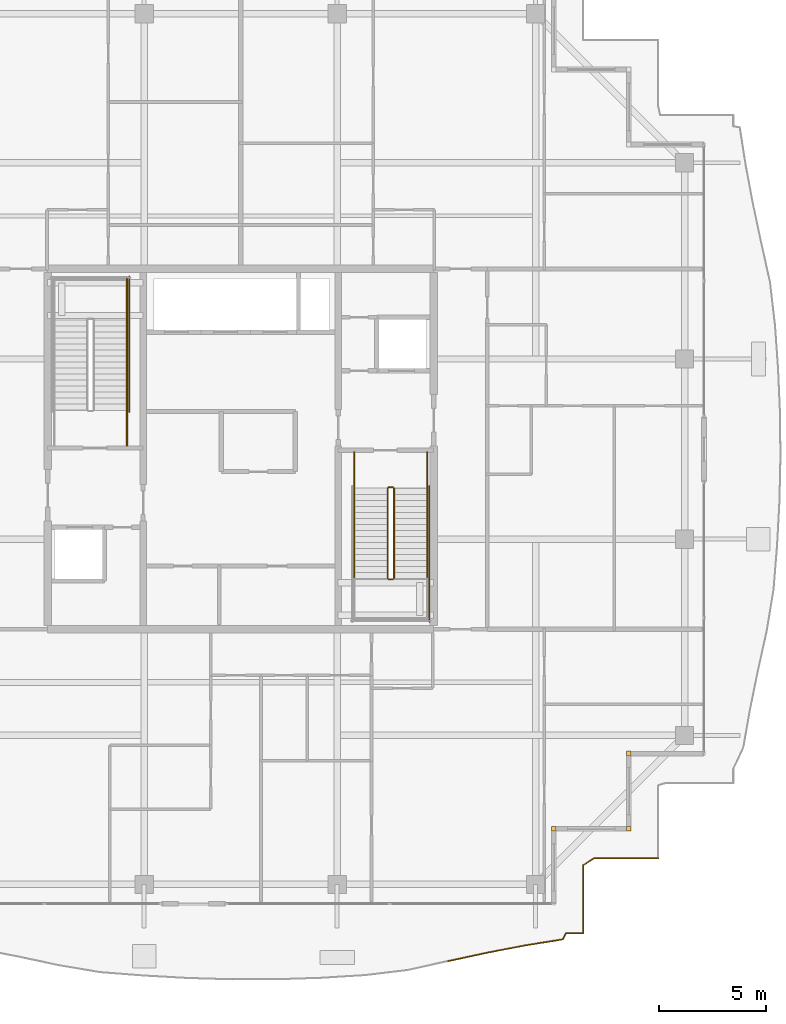
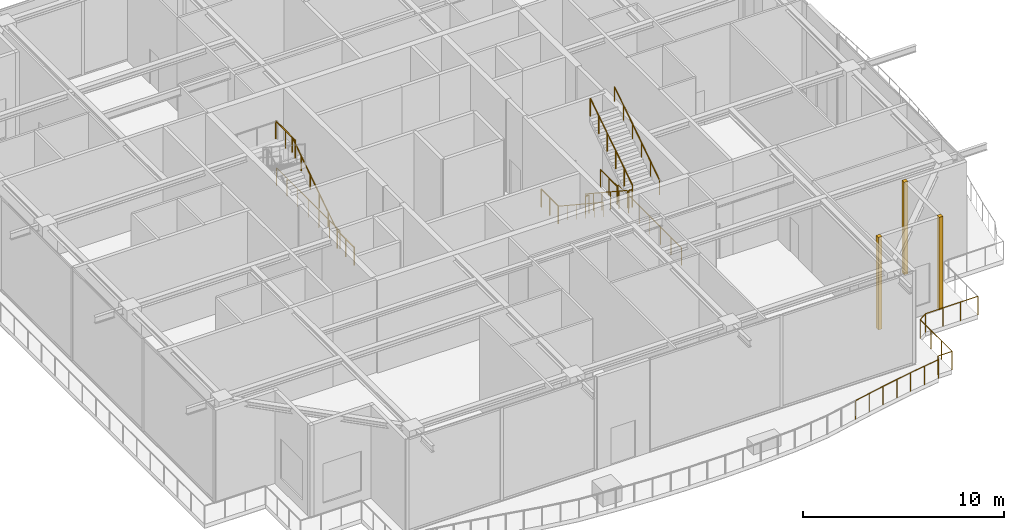
# One storey, part 37 of 38: 14 railings, 3 coverings.
"""IFC4 building model written with IfcOpenShell, lengths in metres."""

import ifcopenshell
import ifcopenshell.guid

model = None  # the IFC model being written
_history = None  # IfcOwnerHistory: only IFC2X3 demands one
_inside = {}  # id of a spatial element -> (the spatial element, [elements in it])
_under = {}  # id of a project, library or spatial element -> (it, [spatial elements below it])
_declared = {}  # id of a project -> (the project, [libraries it declares])
_typed = {}  # id of a type object -> (the type object, [elements of that type])
_made_of = {}  # id of a material, layer set ... -> (it, [elements and type objects made of it])


def new_model(schema):
    """Start an empty IFC model of exactly this schema.

    Asked for "IFC4X3", IfcOpenShell would pick the latest addendum, in which some entities
    have other attributes; the version numbers below select the first issue.
    IFC2X3 requires an IfcOwnerHistory on every rooted entity: one is made here for all.
    """
    global model, _history
    if schema == "IFC4X3":
        model = ifcopenshell.file(schema_version=(4, 3, 0, 0))
    else:
        model = ifcopenshell.file(schema=schema)
    _inside.clear()
    _under.clear()
    _declared.clear()
    _typed.clear()
    _made_of.clear()
    _history = None
    if model.schema == "IFC2X3":
        org = make("IfcOrganization", Name="unknown")
        user = make(
            "IfcPersonAndOrganization",
            ThePerson=make("IfcPerson", FamilyName="unknown"),
            TheOrganization=org,
        )
        app = make(
            "IfcApplication",
            ApplicationDeveloper=org,
            Version="unknown",
            ApplicationFullName="unknown",
            ApplicationIdentifier="unknown",
        )
        _history = make(
            "IfcOwnerHistory",
            OwningUser=user,
            OwningApplication=app,
            ChangeAction="ADDED",
            CreationDate=0,
        )
    return model


def make(cls, **values):
    """One entity of the class cls with the attributes given. An attribute that is None is left unset."""
    return model.create_entity(
        cls, **{name: value for name, value in values.items() if value is not None}
    )


def rooted(cls, **values):
    """An entity with a GlobalId (a new one), such as an element, a storey or a relation."""
    return make(cls, GlobalId=ifcopenshell.guid.new(), OwnerHistory=_history, **values)


def si_unit(unit_type, name, prefix=None):
    """IfcSIUnit, for example si_unit("LENGTHUNIT", "METRE", prefix="MILLI")."""
    return make("IfcSIUnit", UnitType=unit_type, Prefix=prefix, Name=name)


def assignment(units):
    """IfcUnitAssignment: the units of a project."""
    return None if units is None else make("IfcUnitAssignment", Units=units)


def point(xyz):
    """IfcCartesianPoint."""
    return None if xyz is None else make("IfcCartesianPoint", Coordinates=xyz)


def direction(xyz):
    """IfcDirection."""
    return None if xyz is None else make("IfcDirection", DirectionRatios=xyz)


def frame(location, z_axis=None, x_axis=None):
    """IfcAxis2Placement3D, a coordinate frame: its origin and axes. An axis left out is left unset."""
    return make(
        "IfcAxis2Placement3D",
        Location=point(location),
        Axis=direction(z_axis),
        RefDirection=direction(x_axis),
    )


def frame_2d(location, x_axis=None):
    """IfcAxis2Placement2D, a coordinate frame in the plane: its origin and x axis."""
    return make(
        "IfcAxis2Placement2D", Location=point(location), RefDirection=direction(x_axis)
    )


def origin():
    """The frame at (0, 0, 0) with its axes left unset."""
    return frame((0.0, 0.0, 0.0))


def origin_2d():
    """The frame at (0, 0) in the plane with its x axis left unset."""
    return frame_2d((0.0, 0.0))


def place(relative_to, where):
    """IfcLocalPlacement: puts the frame where relative to a parent placement (None: the world)."""
    return make(
        "IfcLocalPlacement", PlacementRelTo=relative_to, RelativePlacement=where
    )


def context(
    kind, dimensions, precision=None, world=None, true_north=None, identifier=None
):
    """IfcGeometricRepresentationContext, for example the 3D "Model" context."""
    return make(
        "IfcGeometricRepresentationContext",
        ContextIdentifier=identifier,
        ContextType=kind,
        CoordinateSpaceDimension=dimensions,
        Precision=precision,
        WorldCoordinateSystem=world,
        TrueNorth=true_north,
    )


def subcontext(parent, identifier, kind, view, scale=None):
    """IfcGeometricRepresentationSubContext, for example "Body" below "Model"."""
    return make(
        "IfcGeometricRepresentationSubContext",
        ContextIdentifier=identifier,
        ContextType=kind,
        ParentContext=parent,
        TargetScale=scale,
        TargetView=view,
    )


def project(units=None, contexts=None):
    """IfcProject with its units and contexts."""
    return rooted(
        "IfcProject",
        Name="project",
        RepresentationContexts=contexts,
        UnitsInContext=assignment(units),
    )


def spatial(cls, under=None, at=None, **own):
    """A site, building, storey or space (cls), placed at a placement, below another one or the project."""
    s = rooted(cls, ObjectPlacement=at, **own)
    if under is not None:
        _under.setdefault(under.id(), (under, []))[1].append(s)
    return s


def profile(cls, at=None, kind="AREA", **sizes):
    """A parametric profile (cls). Its sizes go by their IFC names, for example OverallWidth=200.0."""
    return make(cls, ProfileType=kind, Position=at, **sizes)


def rectangle(**sizes):
    """IfcRectangleProfileDef."""
    return profile("IfcRectangleProfileDef", **sizes)


def circle(**sizes):
    """IfcCircleProfileDef."""
    return profile("IfcCircleProfileDef", **sizes)


def extrude(swept, where, along, depth):
    """IfcExtrudedAreaSolid: the profile swept, set in the frame where, extruded along a direction by depth."""
    return make(
        "IfcExtrudedAreaSolid",
        SweptArea=swept,
        Position=where,
        ExtrudedDirection=direction(along),
        Depth=depth,
    )


def shape(context_of_items, identifier, shape_type, items):
    """IfcShapeRepresentation: the items that make up one representation, for example the "Body"."""
    return make(
        "IfcShapeRepresentation",
        ContextOfItems=context_of_items,
        RepresentationIdentifier=identifier,
        RepresentationType=shape_type,
        Items=items,
    )


def source(mapping_origin, context_of_items, identifier, shape_type, items):
    """IfcRepresentationMap: a shape defined once, which mapped items show again and again."""
    return make(
        "IfcRepresentationMap",
        MappingOrigin=mapping_origin,
        MappedRepresentation=shape(context_of_items, identifier, shape_type, items),
    )


def transform(
    local_origin,
    x_axis=None,
    y_axis=None,
    z_axis=None,
    scale=None,
    scale2=None,
    scale3=None,
    uniform=True,
):
    """IfcCartesianTransformationOperator3D, or its non-uniform kind. x_axis, y_axis, z_axis: its Axis1, 2, 3."""
    if uniform:
        return make(
            "IfcCartesianTransformationOperator3D",
            Axis1=direction(x_axis),
            Axis2=direction(y_axis),
            LocalOrigin=point(local_origin),
            Scale=scale,
            Axis3=direction(z_axis),
        )
    return make(
        "IfcCartesianTransformationOperator3DnonUniform",
        Axis1=direction(x_axis),
        Axis2=direction(y_axis),
        LocalOrigin=point(local_origin),
        Scale=scale,
        Axis3=direction(z_axis),
        Scale2=scale2,
        Scale3=scale3,
    )


def mapped(mapping_source, mapping_target):
    """IfcMappedItem: shows the shape of a source again, moved by a transform."""
    return make(
        "IfcMappedItem", MappingSource=mapping_source, MappingTarget=mapping_target
    )


def material(Name=None, Category=None):
    """IfcMaterial."""
    return make("IfcMaterial", Name=Name, Category=Category)


def layer(
    of_material, thickness, ventilated=None, Name=None, Category=None, Priority=None
):
    """IfcMaterialLayer: one layer of a wall or slab, of a material (None: an air gap)."""
    return make(
        "IfcMaterialLayer",
        Material=of_material,
        LayerThickness=thickness,
        IsVentilated=ventilated,
        Name=Name,
        Category=Category,
        Priority=Priority,
    )


def layer_set(layers, Name=None):
    """IfcMaterialLayerSet."""
    return make("IfcMaterialLayerSet", MaterialLayers=layers, LayerSetName=Name)


def made_of(thing, what):
    """Note that an element or type object is made of a material, layer set ...; save() writes the relation."""
    if what is not None:
        _made_of.setdefault(what.id(), (what, []))[1].append(thing)
    return thing


def type_object(cls, material=None, **own):
    """A type object (cls), such as IfcWallType, which elements share."""
    return made_of(rooted(cls, **own), material)


def element(
    cls,
    number,
    at=None,
    inside=None,
    cuts=None,
    type_object=None,
    material=None,
    context=None,
    identifier="Body",
    shape_type=None,
    held_by="IfcProductDefinitionShape",
    body=None,
    shapes=None,
    **own,
):
    """One element of the class cls, such as IfcWall. Its Tag is "e" and its number.

    at: its placement. inside: the storey or other place that contains it. cuts: it is an
    opening in that element (IfcRelVoidsElement). A single representation is given by context,
    identifier, shape_type and body (its items); several are given by shapes. held_by: the class
    of the entity that holds the representations. save() writes the other relations.
    """
    e = rooted(cls, Tag="e%d" % number, ObjectPlacement=at, **own)
    if body is not None:
        shapes = [shape(context, identifier, shape_type, body)]
    if shapes is not None:
        e.Representation = make(held_by, Representations=shapes)
    if inside is not None:
        _inside.setdefault(inside.id(), (inside, []))[1].append(e)
    if cuts is not None:
        rooted(
            "IfcRelVoidsElement", RelatingBuildingElement=cuts, RelatedOpeningElement=e
        )
    if type_object is not None:
        _typed.setdefault(type_object.id(), (type_object, []))[1].append(e)
    return made_of(e, material)


def aggregate(whole, parts):
    """IfcRelAggregates: a whole, such as a stair, and the parts it consists of."""
    return rooted("IfcRelAggregates", RelatingObject=whole, RelatedObjects=parts)


def save(model, path):
    """Write the relations noted so far, then the file.

    IfcRelAggregates (storeys below a building ...), IfcRelContainedInSpatialStructure (elements
    in a storey), IfcRelDefinesByType, IfcRelAssociatesMaterial and IfcRelDeclares: one each for
    every whole, place, type object, material and project.
    """
    for whole, parts in _under.values():
        aggregate(whole, parts)
    for where, things in _inside.values():
        rooted(
            "IfcRelContainedInSpatialStructure",
            RelatedElements=things,
            RelatingStructure=where,
        )
    for kind, things in _typed.values():
        rooted("IfcRelDefinesByType", RelatedObjects=things, RelatingType=kind)
    for what, things in _made_of.values():
        rooted("IfcRelAssociatesMaterial", RelatedObjects=things, RelatingMaterial=what)
    for by, libraries in _declared.values():
        rooted("IfcRelDeclares", RelatingContext=by, RelatedDefinitions=libraries)
    model.write(path)


model = new_model("IFC4")

# Units and contexts
model_context = context("Model", 3, precision=1e-05, world=origin(), true_north=direction((0.0, 1.0)))
body_context = subcontext(model_context, "Body", "Model", "MODEL_VIEW")
ifc_project = project(units=[si_unit("LENGTHUNIT", "METRE"), si_unit("AREAUNIT", "SQUARE_METRE"), si_unit("VOLUMEUNIT", "CUBIC_METRE"), si_unit("PLANEANGLEUNIT", "RADIAN"), si_unit("MASSUNIT", "GRAM", prefix="KILO")], contexts=[model_context])

# Site, building, storey
site_placement = place(None, origin())
site = spatial("IfcSite", under=ifc_project, at=site_placement, CompositionType="ELEMENT")
building_placement = place(site_placement, origin())
building = spatial("IfcBuilding", under=site, at=building_placement, Name="Serunith Strait Residences", CompositionType="ELEMENT")
storey_placement = place(building_placement, frame((0.0, 0.0, 342.050048828125)))
storey = spatial("IfcBuildingStorey", under=building, at=storey_placement, Name="L85", CompositionType="ELEMENT", Elevation=342.050048828125)

# Railings
ifc_material_1 = material(Name="Stainless Steel & Laminated Glass Balustrade", Category="steel")
railing_type_1 = type_object("IfcRailingType", Name="RLG-BALC-1150", PredefinedType="BALUSTRADE", material=ifc_material_1)
railing_1_placement = place(storey_placement, frame((51.8798828125, 6.1201171875, -0.050048828125)))
element("IfcRailing", 1, at=railing_1_placement, inside=storey, type_object=railing_type_1, Name="L85 Swirling Balcony Perimeter Balustrade 6", PredefinedType="BALUSTRADE", context=body_context, shape_type="SweptSolid", body=[
    extrude(circle(Radius=0.02392578125, at=origin_2d()), frame((-0.001953125, 0.0, 1.1259765625), z_axis=(-1.0, 0.0, 0.0), x_axis=(0.0, -1.0, 0.0)), (0.0, 0.0, 1.0), 3.005859375),
    extrude(circle(Radius=0.02392578125, at=origin_2d()), frame((-3.011474609375, -0.0009765625, 1.1259765625), z_axis=(-0.836764004252, -0.54756369601, 0.0), x_axis=(0.54756369601, -0.836764004252, 0.0)), (0.0, 0.0, 1.0), 0.581787109375),
    extrude(circle(Radius=0.02392578125, at=origin_2d()), frame((-3.5, -0.32275390625, 1.1259765625), z_axis=(0.0, -1.0, 0.0), x_axis=(1.0, 0.0, 0.0)), (0.0, 0.0, 1.0), 3.17529296875),
    extrude(circle(Radius=0.02392578125, at=origin_2d()), frame((-3.501953125, -3.5, 1.1259765625), z_axis=(-1.0, 0.0, 0.0), x_axis=(0.0, -1.0, 0.0)), (0.0, 0.0, 1.0), 0.810302734375),
    extrude(circle(Radius=0.02392578125, at=origin_2d()), frame((-4.315185546875, -3.501708984375, 1.1259765625), z_axis=(-0.442872525968, -0.896584589285, 0.0), x_axis=(0.896584589285, -0.442872525968, 0.0)), (0.0, 0.0, 1.0), 0.311279296875),
    extrude(circle(Radius=0.02392578125, at=origin_2d()), frame((-4.455810546875, -3.782958984375, 1.1259765625), z_axis=(-0.987452584094, -0.15791578188, 0.0), x_axis=(0.15791578188, -0.987452584094, 0.0)), (0.0, 0.0, 1.0), 1.780029296875),
    extrude(circle(Radius=0.02392578125, at=origin_2d()), frame((-6.217529296875, -4.06494140625, 1.1259765625), z_axis=(-0.982054458194, -0.188597563988, 0.0), x_axis=(0.188597563988, -0.982054458194, 0.0)), (0.0, 0.0, 1.0), 1.808349609375),
    extrude(circle(Radius=0.02392578125, at=origin_2d()), frame((-7.997314453125, -4.40673828125, 1.1259765625), z_axis=(-0.977377481378, -0.211502385083, 0.0), x_axis=(0.211502385083, -0.977377481378, 0.0)), (0.0, 0.0, 1.0), 1.8544921875),
    extrude(circle(Radius=0.02099609375, at=origin_2d()), origin(), (0.0, 0.0, 1.0), 1.099853515625),
    extrude(circle(Radius=0.02099609375, at=origin_2d()), frame((-1.003173828125, 0.0, 0.0)), (0.0, 0.0, 1.0), 1.099853515625),
    extrude(circle(Radius=0.02099609375, at=origin_2d()), frame((-2.006591796875, 0.0, 0.0)), (0.0, 0.0, 1.0), 1.099853515625),
    extrude(circle(Radius=0.02099609375, at=origin_2d()), frame((-3.009765625, 0.0, 0.0)), (0.0, 0.0, 1.0), 1.099853515625),
    extrude(circle(Radius=0.02099609375, at=origin_2d()), frame((-3.5, -0.32080078125, 0.0)), (0.0, 0.0, 1.0), 1.099853515625),
    extrude(circle(Radius=0.02099609375, at=origin_2d()), frame((-3.5, -1.380615234375, 0.0)), (0.0, 0.0, 1.0), 1.099853515625),
    extrude(circle(Radius=0.02099609375, at=origin_2d()), frame((-3.5, -2.440185546875, 0.0)), (0.0, 0.0, 1.0), 1.099853515625),
    extrude(circle(Radius=0.02099609375, at=origin_2d()), frame((-3.5, -3.5, 0.0)), (0.0, 0.0, 1.0), 1.099853515625),
    extrude(circle(Radius=0.02099609375, at=origin_2d()), frame((-4.314208984375, -3.5, 0.0)), (0.0, 0.0, 1.0), 1.099853515625),
    extrude(circle(Radius=0.02099609375, at=origin_2d()), frame((-4.453857421875, -3.78271484375, 0.0)), (0.0, 0.0, 1.0), 1.099853515625),
    extrude(circle(Radius=0.02099609375, at=origin_2d()), frame((-5.334716796875, -3.923583984375, 0.0)), (0.0, 0.0, 1.0), 1.099853515625),
    extrude(circle(Radius=0.02099609375, at=origin_2d()), frame((-6.215576171875, -4.064453125, 0.0)), (0.0, 0.0, 1.0), 1.099853515625),
    extrude(circle(Radius=0.02099609375, at=origin_2d()), frame((-7.10546875, -4.2353515625, 0.0)), (0.0, 0.0, 1.0), 1.099853515625),
    extrude(circle(Radius=0.02099609375, at=origin_2d()), frame((-7.995361328125, -4.40625, 0.0)), (0.0, 0.0, 1.0), 1.099853515625),
    extrude(circle(Radius=0.02099609375, at=origin_2d()), frame((-8.903564453125, -4.602783203125, 0.0)), (0.0, 0.0, 1.0), 1.099853515625),
    extrude(circle(Radius=0.02099609375, at=origin_2d()), frame((-9.811767578125, -4.79931640625, 0.0)), (0.0, 0.0, 1.0), 1.099853515625),
])
ifc_material_2 = material(Name="Brushed stainless steel 316L", Category="steel")
railing_type_2 = type_object("IfcRailingType", Name="RLG-STAIR-GUARD", PredefinedType="BALUSTRADE", material=ifc_material_2)
railing_2_placement = place(storey_placement, frame((27.10009765625, 31.22998046875, 2.949951171875)))
element("IfcRailing", 2, at=railing_2_placement, inside=storey, type_object=railing_type_2, Name="L85 ST-1 stair guard 3", PredefinedType="BALUSTRADE", context=body_context, shape_type="SweptSolid", body=[
    extrude(circle(Radius=0.02392578125, at=origin_2d()), frame((0.0, 0.001953125, 1.076171875), z_axis=(0.0, 1.0, 0.0), x_axis=(-1.0, 0.0, 0.0)), (0.0, 0.0, 1.0), 1.916015625),
    extrude(circle(Radius=0.02099609375, at=origin_2d()), origin(), (0.0, 0.0, 1.0), 1.050048828125),
    extrude(circle(Radius=0.02099609375, at=origin_2d()), frame((0.0, 0.9599609375, 0.0)), (0.0, 0.0, 1.0), 1.050048828125),
    extrude(circle(Radius=0.02099609375, at=origin_2d()), frame((0.0, 1.919921875, 0.0)), (0.0, 0.0, 1.0), 1.050048828125),
])
railing_3_placement = place(storey_placement, frame((27.10009765625, 25.35009765625, 0.0)))
element("IfcRailing", 3, at=railing_3_placement, inside=storey, type_object=railing_type_2, Name="L85 ST-1 stair guard 8", PredefinedType="BALUSTRADE", context=body_context, shape_type="SweptSolid", body=[
    extrude(circle(Radius=0.02392578125, at=origin_2d()), frame((0.0, 0.001953125, 1.076171875), z_axis=(0.0, 1.0, 0.0), x_axis=(-1.0, 0.0, 0.0)), (0.0, 0.0, 1.0), 1.676025390625),
    extrude(circle(Radius=0.02099609375, at=origin_2d()), origin(), (0.0, 0.0, 1.0), 1.050048828125),
    extrude(circle(Radius=0.02099609375, at=origin_2d()), frame((0.0, 0.83984375, 0.0)), (0.0, 0.0, 1.0), 1.050048828125),
    extrude(circle(Radius=0.02099609375, at=origin_2d()), frame((0.0, 1.679931640625, 0.0)), (0.0, 0.0, 1.0), 1.050048828125),
])
railing_4_placement = place(storey_placement, frame((27.199951171875, 26.929931640625, 0.0)))
element("IfcRailing", 4, at=railing_4_placement, inside=storey, type_object=railing_type_2, Name="L85 ST-1 stair guard 10", PredefinedType="BALUSTRADE", context=body_context, shape_type="SweptSolid", body=[
    extrude(circle(Radius=0.02392578125, at=origin_2d()), frame((0.0, 0.001953125, 1.076171875), z_axis=(0.0, 1.0, 0.0), x_axis=(-1.0, 0.0, 0.0)), (0.0, 0.0, 1.0), 6.316162109375),
    extrude(circle(Radius=0.02099609375, at=origin_2d()), origin(), (0.0, 0.0, 1.0), 1.050048828125),
    extrude(circle(Radius=0.02099609375, at=origin_2d()), frame((0.0, 1.05322265625, 0.0)), (0.0, 0.0, 1.0), 1.050048828125),
    extrude(circle(Radius=0.02099609375, at=origin_2d()), frame((0.0, 2.106689453125, 0.0)), (0.0, 0.0, 1.0), 1.050048828125),
    extrude(circle(Radius=0.02099609375, at=origin_2d()), frame((0.0, 3.16015625, 0.0)), (0.0, 0.0, 1.0), 1.050048828125),
    extrude(circle(Radius=0.02099609375, at=origin_2d()), frame((0.0, 4.21337890625, 0.0)), (0.0, 0.0, 1.0), 1.050048828125),
    extrude(circle(Radius=0.02099609375, at=origin_2d()), frame((0.0, 5.2666015625, 0.0)), (0.0, 0.0, 1.0), 1.050048828125),
    extrude(circle(Radius=0.02099609375, at=origin_2d()), frame((0.0, 6.320068359375, 0.0)), (0.0, 0.0, 1.0), 1.050048828125),
])
railing_5_placement = place(storey_placement, frame((39.25, 23.3701171875, 0.184326171875)))
element("IfcRailing", 5, at=railing_5_placement, inside=storey, type_object=railing_type_2, Name="L85 ST-2 stair guard 1", PredefinedType="BALUSTRADE", context=body_context, shape_type="SweptSolid", body=[
    extrude(circle(Radius=0.02392578125, at=origin_2d()), frame((0.0, -0.001708984375, 1.0771484375), z_axis=(0.0, -0.835203496638, 0.549941014294), x_axis=(1.0, 0.0, 0.0)), (0.0, 0.0, 1.0), 5.02490234375),
    extrude(circle(Radius=0.02099609375, at=origin_2d()), origin(), (0.0, 0.0, 1.0), 1.050048828125),
    extrude(circle(Radius=0.02099609375, at=origin_2d()), frame((0.0, -0.840087890625, 0.55322265625)), (0.0, 0.0, 1.0), 1.050048828125),
    extrude(circle(Radius=0.02099609375, at=origin_2d()), frame((0.0, -1.68017578125, 1.106201171875)), (0.0, 0.0, 1.0), 1.050048828125),
    extrude(circle(Radius=0.02099609375, at=origin_2d()), frame((0.0, -2.52001953125, 1.659423828125)), (0.0, 0.0, 1.0), 1.050048828125),
    extrude(circle(Radius=0.02099609375, at=origin_2d()), frame((0.0, -3.360107421875, 2.21240234375)), (0.0, 0.0, 1.0), 1.050048828125),
    extrude(circle(Radius=0.02099609375, at=origin_2d()), frame((0.0, -4.2001953125, 2.765625)), (0.0, 0.0, 1.0), 1.050048828125),
])
railing_6_placement = place(storey_placement, frame((39.300048828125, 19.1201171875, 2.949951171875)))
element("IfcRailing", 6, at=railing_6_placement, inside=storey, type_object=railing_type_2, Name="L85 ST-2 stair guard 2", PredefinedType="BALUSTRADE", context=body_context, shape_type="SweptSolid", body=[
    extrude(circle(Radius=0.02392578125, at=origin_2d()), frame((0.001953125, 0.0, 1.076171875), z_axis=(1.0, 0.0, 0.0), x_axis=(0.0, 1.0, 0.0)), (0.0, 0.0, 1.0), 0.196044921875),
    extrude(circle(Radius=0.02099609375, at=origin_2d()), origin(), (0.0, 0.0, 1.0), 1.050048828125),
    extrude(circle(Radius=0.02099609375, at=origin_2d()), frame((0.199951171875, 0.0, 0.0)), (0.0, 0.0, 1.0), 1.050048828125),
])
railing_7_placement = place(storey_placement, frame((39.550048828125, 19.169921875, 3.13427734375)))
element("IfcRailing", 7, at=railing_7_placement, inside=storey, type_object=railing_type_2, Name="L85 ST-2 stair guard 6", PredefinedType="BALUSTRADE", context=body_context, shape_type="SweptSolid", body=[
    extrude(circle(Radius=0.02392578125, at=origin_2d()), frame((0.0, 0.001708984375, 1.0771484375), z_axis=(0.0, 0.835203496638, 0.549941014294), x_axis=(-1.0, 0.0, 0.0)), (0.0, 0.0, 1.0), 5.02490234375),
    extrude(circle(Radius=0.02099609375, at=origin_2d()), origin(), (0.0, 0.0, 1.0), 1.050048828125),
    extrude(circle(Radius=0.02099609375, at=origin_2d()), frame((0.0, 0.840087890625, 0.55322265625)), (0.0, 0.0, 1.0), 1.050048828125),
    extrude(circle(Radius=0.02099609375, at=origin_2d()), frame((0.0, 1.68017578125, 1.106201171875)), (0.0, 0.0, 1.0), 1.050048828125),
    extrude(circle(Radius=0.02099609375, at=origin_2d()), frame((0.0, 2.52001953125, 1.659423828125)), (0.0, 0.0, 1.0), 1.050048828125),
    extrude(circle(Radius=0.02099609375, at=origin_2d()), frame((0.0, 3.360107421875, 2.21240234375)), (0.0, 0.0, 1.0), 1.050048828125),
    extrude(circle(Radius=0.02099609375, at=origin_2d()), frame((0.0, 4.2001953125, 2.765625)), (0.0, 0.0, 1.0), 1.050048828125),
])
railing_8_placement = place(storey_placement, frame((39.300048828125, 23.419921875, 0.0)))
element("IfcRailing", 8, at=railing_8_placement, inside=storey, type_object=railing_type_2, Name="L85 ST-2 stair guard 7", PredefinedType="BALUSTRADE", context=body_context, shape_type="SweptSolid", body=[
    extrude(circle(Radius=0.02392578125, at=origin_2d()), frame((0.001953125, 0.0, 1.076171875), z_axis=(1.0, 0.0, 0.0), x_axis=(0.0, 1.0, 0.0)), (0.0, 0.0, 1.0), 0.196044921875),
    extrude(circle(Radius=0.02099609375, at=origin_2d()), origin(), (0.0, 0.0, 1.0), 1.050048828125),
    extrude(circle(Radius=0.02099609375, at=origin_2d()), frame((0.199951171875, 0.0, 0.0)), (0.0, 0.0, 1.0), 1.050048828125),
])
for number, where, name in (
    (9, (37.699951171875, 25.050048828125, 0.0), "L85 ST-2 stair guard 8"),
    (10, (41.10009765625, 25.050048828125, 0.0), "L85 ST-2 stair guard 9"),
):
    element("IfcRailing", number, at=place(storey_placement, frame(where)), inside=storey, type_object=railing_type_2, Name=name, PredefinedType="BALUSTRADE", context=body_context, shape_type="SweptSolid", body=[
        extrude(circle(Radius=0.02392578125, at=origin_2d()), frame((0.0, -0.001953125, 1.076171875), z_axis=(0.0, -1.0, 0.0), x_axis=(1.0, 0.0, 0.0)), (0.0, 0.0, 1.0), 1.676025390625),
        extrude(circle(Radius=0.02099609375, at=origin_2d()), origin(), (0.0, 0.0, 1.0), 1.050048828125),
        extrude(circle(Radius=0.02099609375, at=origin_2d()), frame((0.0, -0.83984375, 0.0)), (0.0, 0.0, 1.0), 1.050048828125),
        extrude(circle(Radius=0.02099609375, at=origin_2d()), frame((0.0, -1.679931640625, 0.0)), (0.0, 0.0, 1.0), 1.050048828125),
    ])
railing_9_placement = place(storey_placement, frame((41.199951171875, 23.469970703125, 0.0)))
element("IfcRailing", 11, at=railing_9_placement, inside=storey, type_object=railing_type_2, Name="L85 ST-2 stair guard 11", PredefinedType="BALUSTRADE", context=body_context, shape_type="SweptSolid", body=[
    extrude(circle(Radius=0.02392578125, at=origin_2d()), frame((0.0, -0.001953125, 1.076171875), z_axis=(0.0, -1.0, 0.0), x_axis=(1.0, 0.0, 0.0)), (0.0, 0.0, 1.0), 6.316162109375),
    extrude(circle(Radius=0.02099609375, at=origin_2d()), origin(), (0.0, 0.0, 1.0), 1.050048828125),
    extrude(circle(Radius=0.02099609375, at=origin_2d()), frame((0.0, -1.05322265625, 0.0)), (0.0, 0.0, 1.0), 1.050048828125),
    extrude(circle(Radius=0.02099609375, at=origin_2d()), frame((0.0, -2.106689453125, 0.0)), (0.0, 0.0, 1.0), 1.050048828125),
    extrude(circle(Radius=0.02099609375, at=origin_2d()), frame((0.0, -3.16015625, 0.0)), (0.0, 0.0, 1.0), 1.050048828125),
    extrude(circle(Radius=0.02099609375, at=origin_2d()), frame((0.0, -4.21337890625, 0.0)), (0.0, 0.0, 1.0), 1.050048828125),
    extrude(circle(Radius=0.02099609375, at=origin_2d()), frame((0.0, -5.2666015625, 0.0)), (0.0, 0.0, 1.0), 1.050048828125),
    extrude(circle(Radius=0.02099609375, at=origin_2d()), frame((0.0, -6.320068359375, 0.0)), (0.0, 0.0, 1.0), 1.050048828125),
])
railing_type_3 = type_object("IfcRailingType", Name="RLG-STAIR-HR", PredefinedType="HANDRAIL", material=ifc_material_2)
railing_10_placement = place(storey_placement, frame((27.10009765625, 27.030029296875, 0.184326171875)))
element("IfcRailing", 12, at=railing_10_placement, inside=storey, type_object=railing_type_3, Name="L85 ST-1 stair handrail 1", PredefinedType="HANDRAIL", context=body_context, shape_type="SweptSolid", body=[
    extrude(circle(Radius=0.02392578125, at=origin_2d()), frame((0.0, 0.001708984375, 0.876953125), z_axis=(0.0, 0.834755773989, 0.550620375388), x_axis=(-1.0, 0.0, 0.0)), (0.0, 0.0, 1.0), 5.36279296875),
    extrude(circle(Radius=0.02099609375, at=origin_2d()), origin(), (0.0, 0.0, 1.0), 0.849853515625),
    extrude(circle(Radius=0.02099609375, at=origin_2d()), frame((0.0, 0.89599609375, 0.591064453125)), (0.0, 0.0, 1.0), 0.849853515625),
    extrude(circle(Radius=0.02099609375, at=origin_2d()), frame((0.0, 1.7919921875, 1.18212890625)), (0.0, 0.0, 1.0), 0.849853515625),
    extrude(circle(Radius=0.02099609375, at=origin_2d()), frame((0.0, 2.68798828125, 1.77294921875)), (0.0, 0.0, 1.0), 0.849853515625),
    extrude(circle(Radius=0.02099609375, at=origin_2d()), frame((0.0, 3.583984375, 2.364013671875)), (0.0, 0.0, 1.0), 0.849853515625),
    extrude(circle(Radius=0.02099609375, at=origin_2d()), frame((0.0, 4.47998046875, 2.955078125)), (0.0, 0.0, 1.0), 0.849853515625),
])
railing_11_placement = place(storey_placement, frame((37.699951171875, 23.3701171875, 0.184326171875)))
element("IfcRailing", 13, at=railing_11_placement, inside=storey, type_object=railing_type_3, Name="L85 ST-2 stair handrail 1", PredefinedType="HANDRAIL", context=body_context, shape_type="SweptSolid", body=[
    extrude(circle(Radius=0.02392578125, at=origin_2d()), frame((0.0, -0.001708984375, 0.876953125), z_axis=(0.0, -0.834769565225, 0.550599466922), x_axis=(1.0, 0.0, 0.0)), (0.0, 0.0, 1.0), 5.363037109375),
    extrude(circle(Radius=0.02099609375, at=origin_2d()), origin(), (0.0, 0.0, 1.0), 0.849853515625),
    extrude(circle(Radius=0.02099609375, at=origin_2d()), frame((0.0, -0.89599609375, 0.591064453125)), (0.0, 0.0, 1.0), 0.849853515625),
    extrude(circle(Radius=0.02099609375, at=origin_2d()), frame((0.0, -1.7919921875, 1.18212890625)), (0.0, 0.0, 1.0), 0.849853515625),
    extrude(circle(Radius=0.02099609375, at=origin_2d()), frame((0.0, -2.688232421875, 1.77294921875)), (0.0, 0.0, 1.0), 0.849853515625),
    extrude(circle(Radius=0.02099609375, at=origin_2d()), frame((0.0, -3.584228515625, 2.364013671875)), (0.0, 0.0, 1.0), 0.849853515625),
    extrude(circle(Radius=0.02099609375, at=origin_2d()), frame((0.0, -4.480224609375, 2.955078125)), (0.0, 0.0, 1.0), 0.849853515625),
])
railing_12_placement = place(storey_placement, frame((41.10009765625, 19.169921875, 3.13427734375)))
element("IfcRailing", 14, at=railing_12_placement, inside=storey, type_object=railing_type_3, Name="L85 ST-2 stair handrail 2", PredefinedType="HANDRAIL", context=body_context, shape_type="SweptSolid", body=[
    extrude(circle(Radius=0.02392578125, at=origin_2d()), frame((0.0, 0.001708984375, 0.876953125), z_axis=(0.0, 0.834755773989, 0.550620375388), x_axis=(-1.0, 0.0, 0.0)), (0.0, 0.0, 1.0), 5.36279296875),
    extrude(circle(Radius=0.02099609375, at=origin_2d()), origin(), (0.0, 0.0, 1.0), 0.849853515625),
    extrude(circle(Radius=0.02099609375, at=origin_2d()), frame((0.0, 0.89599609375, 0.591064453125)), (0.0, 0.0, 1.0), 0.849853515625),
    extrude(circle(Radius=0.02099609375, at=origin_2d()), frame((0.0, 1.7919921875, 1.18212890625)), (0.0, 0.0, 1.0), 0.849853515625),
    extrude(circle(Radius=0.02099609375, at=origin_2d()), frame((0.0, 2.68798828125, 1.77294921875)), (0.0, 0.0, 1.0), 0.849853515625),
    extrude(circle(Radius=0.02099609375, at=origin_2d()), frame((0.0, 3.583984375, 2.364013671875)), (0.0, 0.0, 1.0), 0.849853515625),
    extrude(circle(Radius=0.02099609375, at=origin_2d()), frame((0.0, 4.47998046875, 2.955078125)), (0.0, 0.0, 1.0), 0.849853515625),
])

# Coverings
ifc_material_3 = material(Name="Pale-Champagne Anodised Aluminium", Category="aluminium")
ifc_layer = layer(ifc_material_3, 0.219970703125, Name="Pale-Champagne Anodised Aluminium")
ifc_layer_set = layer_set([ifc_layer], Name="Pale-Champagne Anodised Aluminium")
covering_type = type_object("IfcCoveringType", Name="COV-CORN-TRIM", PredefinedType="CLADDING", material=ifc_layer_set)
shared_shape = source(origin(), body_context, "Body", "SweptSolid", [
    extrude(rectangle(XDim=0.221923828125, YDim=0.221923828125, at=origin_2d()), origin(), (0.0, 0.0, 1.0), 5.625),
])
for number, where, z_axis, x_axis, name in (
    (15, (47.0, 7.5, 0.0), (0.0, 0.0, 1.0), (1.0, 0.0, 0.0), "L85 Girih Serrated Corner Trim Post 02"),
    (16, (50.5, 7.5, 0.0), (0.0, 0.0, 1.0), (1.0, 0.0, 0.0), "L85 Girih Serrated Corner Trim Post 03"),
    (17, (50.5, 11.0, 0.0), (0.0, 0.0, 1.0), (1.0, 0.0, 0.0), "L85 Girih Serrated Corner Trim Post 04"),
):
    element("IfcCovering", number, at=place(storey_placement, frame(where, z_axis=z_axis, x_axis=x_axis)), inside=storey, type_object=covering_type, Name=name, PredefinedType="CLADDING", context=body_context, shape_type="MappedRepresentation", body=[
        mapped(shared_shape, transform((0.0, 0.0, 0.0), scale=1.0)),
    ])

save(model, "model.ifc")
